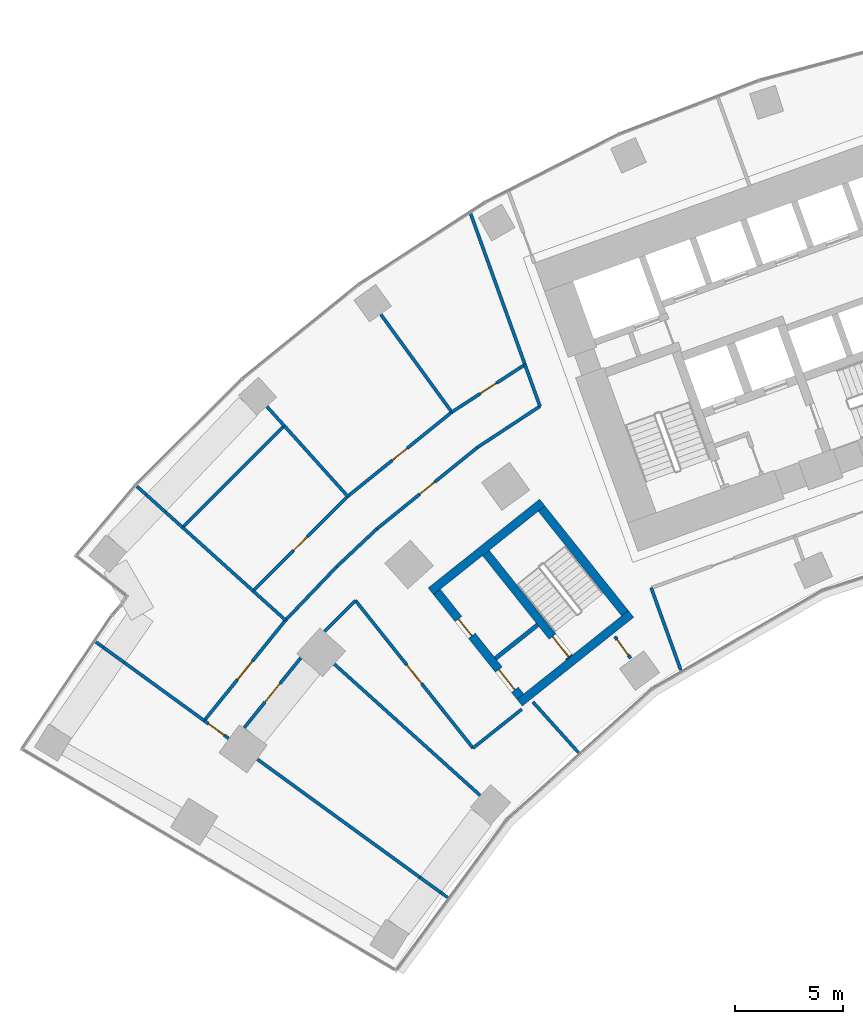
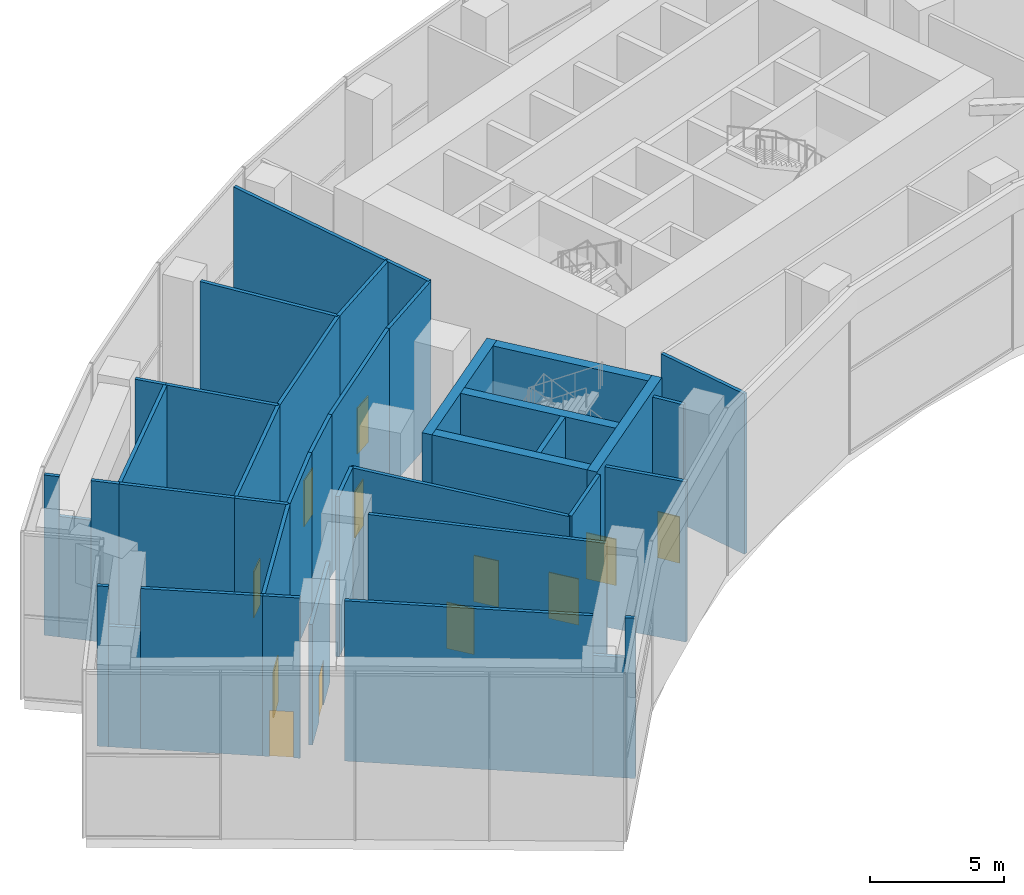
# One storey, part 24 of 33: 40 walls, 12 doors, 12 openings.
"""IFC4 building model written with IfcOpenShell, lengths in metres."""

from ifc_helpers import new_model, si_unit, direction, frame, frame_2d, origin, place, context, subcontext, project, spatial, rectangle, extrude, material, layer, layer_set, type_object, element, fill, save


model = new_model("IFC4")

# Units and contexts
model_context = context("Model", 3, precision=1e-05, world=origin(), true_north=direction((0.0, 1.0)))
body_context = subcontext(model_context, "Body", "Model", "MODEL_VIEW")
ifc_project = project(units=[si_unit("LENGTHUNIT", "METRE"), si_unit("AREAUNIT", "SQUARE_METRE"), si_unit("VOLUMEUNIT", "CUBIC_METRE"), si_unit("PLANEANGLEUNIT", "RADIAN"), si_unit("MASSUNIT", "GRAM", prefix="KILO")], contexts=[model_context])

# Site, building, storey
site_placement = place(None, origin())
site = spatial("IfcSite", under=ifc_project, at=site_placement, CompositionType="ELEMENT")
building_placement = place(site_placement, origin())
building = spatial("IfcBuilding", under=site, at=building_placement, Name="Stone Belt Terrace Tower", CompositionType="ELEMENT")
storey_placement = place(building_placement, frame((0.0, 0.0, 79.39990234375)))
storey = spatial("IfcBuildingStorey", under=building, at=storey_placement, Name="L19", CompositionType="ELEMENT", Elevation=79.39990234375)

# Wall
ifc_material_1 = material(Name="Gypsum board partition")
ifc_layer_1 = layer(ifc_material_1, 0.14990234375)
ifc_layer_set_1 = layer_set([ifc_layer_1], Name="PARTITION 150 EI 60")
wall_type_1 = type_object("IfcWallType", Name="PARTITION 150 EI 60", PredefinedType="PARTITIONING", material=ifc_layer_set_1)
wall_1_placement = place(storey_placement, frame((-25.5859375, 39.79296875, 0.0), z_axis=(0.0, 0.0, 1.0), x_axis=(0.338595879698, -0.940931894587, 0.0)))
element("IfcWall", 1, at=wall_1_placement, inside=storey, type_object=wall_type_1, Name="L19/wall/i001", PredefinedType="PARTITIONING", context=body_context, shape_type="SweptSolid", body=[
    extrude(rectangle(XDim=4.057373046875, YDim=0.14990234375, at=frame_2d((2.02880859375, 0.0))), origin(), (0.0, 0.0, 1.0), 7.280029296875),
])

# Wall, opening, door
wall_2_placement = place(storey_placement, frame((-26.534912109375, 36.52294921875, 0.0), z_axis=(0.0, 0.0, 1.0), x_axis=(-0.58822969918, 0.80869389821, 0.0)))
wall_2 = element("IfcWall", 2, at=wall_2_placement, inside=storey, type_object=wall_type_1, Name="L19/wall/i003", PredefinedType="PARTITIONING", context=body_context, shape_type="SweptSolid", body=[
    extrude(rectangle(XDim=1.25146484375, YDim=0.14990234375, at=frame_2d((0.625732421875, 0.0))), origin(), (0.0, 0.0, 1.0), 7.280029296875),
])
opening_1_placement = place(wall_2_placement, frame((0.17578125, 0.0, 0.0)))
opening_1 = element("IfcOpeningElement", 3, at=opening_1_placement, cuts=wall_2, Name="Opening D-T1-12", PredefinedType="OPENING", context=body_context, shape_type="SweptSolid", body=[
    extrude(rectangle(XDim=0.89990234375, YDim=2.10009765625, at=frame_2d((0.449951171875, 1.050048828125))), frame((0.0, 0.0849609375, 0.0), z_axis=(0.0, -1.0, 0.0), x_axis=(1.0, 0.0, 0.0)), (0.0, 0.0, 1.0), 0.169921875),
])
ifc_material_2 = material(Name="Steel fire door set", Category="steel")
door_type_1 = type_object("IfcDoorType", Name="SERVICE ROOM DOOR 900 X 2100", OperationType="NOTDEFINED", PredefinedType="DOOR", material=ifc_material_2)
door_1_placement = place(opening_1_placement, origin())
door_1 = element("IfcDoor", 4, at=door_1_placement, inside=storey, type_object=door_type_1, Name="L19/door/i12", OperationType="SINGLE_SWING_RIGHT", OverallHeight=2.10009765625, OverallWidth=0.89990234375, PredefinedType="DOOR", context=body_context, shape_type="SweptSolid", body=[
    extrude(rectangle(XDim=0.89990234375, YDim=2.10009765625, at=frame_2d((0.449951171875, 1.050048828125))), frame((0.0, 0.02490234375, 0.0), z_axis=(0.0, -1.0, 0.0), x_axis=(1.0, 0.0, 0.0)), (0.0, 0.0, 1.0), 0.050048828125),
])
fill(opening_1, door_1)

# Walls
wall_3_placement = place(storey_placement, frame((-30.736083984375, 48.197998046875, 0.0), z_axis=(0.0, 0.0, 1.0), x_axis=(-0.338673390493, 0.940903998595, 0.0)))
element("IfcWall", 5, at=wall_3_placement, inside=storey, type_object=wall_type_1, Name="L19/wall/i004", PredefinedType="PARTITIONING", context=body_context, shape_type="SweptSolid", body=[
    extrude(rectangle(XDim=2.06396484375, YDim=0.14990234375, at=frame_2d((1.031982421875, 0.0))), origin(), (0.0, 0.0, 1.0), 7.280029296875),
])
wall_4_placement = place(storey_placement, frame((-31.430908203125, 50.12890625, 0.0), z_axis=(0.0, 0.0, 1.0), x_axis=(-0.338785689557, 0.940863569574, 0.0)))
element("IfcWall", 6, at=wall_4_placement, inside=storey, type_object=wall_type_1, Name="L19/wall/i005", PredefinedType="PARTITIONING", context=body_context, shape_type="SweptSolid", body=[
    extrude(rectangle(XDim=7.441162109375, YDim=0.14990234375, at=frame_2d((3.720703125, 0.0))), origin(), (0.0, 0.0, 1.0), 7.280029296875),
])

# Wall, opening, door
wall_5_placement = place(storey_placement, frame((-45.167236328125, 32.816162109375, 0.0), z_axis=(0.0, 0.0, 1.0), x_axis=(-0.809353623303, 0.587321643094, 0.0)))
wall_5 = element("IfcWall", 7, at=wall_5_placement, inside=storey, type_object=wall_type_1, Name="L19/wall/i031", PredefinedType="PARTITIONING", context=body_context, shape_type="SweptSolid", body=[
    extrude(rectangle(XDim=1.40087890625, YDim=0.14990234375, at=frame_2d((0.700439453125, 0.0))), origin(), (0.0, 0.0, 1.0), 7.280029296875),
])
opening_2_placement = place(wall_5_placement, frame((0.25048828125, 0.0, 0.0)))
opening_2 = element("IfcOpeningElement", 8, at=opening_2_placement, cuts=wall_5, Name="Opening D-T1-11", PredefinedType="OPENING", context=body_context, shape_type="SweptSolid", body=[
    extrude(rectangle(XDim=0.89990234375, YDim=2.10009765625, at=frame_2d((0.449951171875, 1.050048828125))), frame((0.0, 0.0849609375, 0.0), z_axis=(0.0, -1.0, 0.0), x_axis=(1.0, 0.0, 0.0)), (0.0, 0.0, 1.0), 0.169921875),
])
door_2_placement = place(opening_2_placement, origin())
door_2 = element("IfcDoor", 9, at=door_2_placement, inside=storey, type_object=door_type_1, Name="L19/door/i11", OperationType="SINGLE_SWING_RIGHT", OverallHeight=2.10009765625, OverallWidth=0.89990234375, PredefinedType="DOOR", context=body_context, shape_type="SweptSolid", body=[
    extrude(rectangle(XDim=0.89990234375, YDim=2.10009765625, at=frame_2d((0.449951171875, 1.050048828125))), frame((0.0, 0.02490234375, 0.0), z_axis=(0.0, -1.0, 0.0), x_axis=(1.0, 0.0, 0.0)), (0.0, 0.0, 1.0), 0.050048828125),
])
fill(opening_2, door_2)

# Walls
wall_6_placement = place(storey_placement, frame((-43.82470703125, 31.83984375, 0.0), z_axis=(0.0, 0.0, 1.0), x_axis=(0.809029230777, -0.587768409962, 0.0)))
element("IfcWall", 10, at=wall_6_placement, inside=storey, type_object=wall_type_1, Name="L19/wall/i032-1", PredefinedType="PARTITIONING", context=body_context, shape_type="SweptSolid", body=[
    extrude(rectangle(XDim=9.28857421875, YDim=0.14990234375, at=frame_2d((4.644287109375, 0.0))), origin(), (0.0, 0.0, 1.0), 7.280029296875),
])
wall_7_placement = place(storey_placement, frame((-36.31005859375, 26.38037109375, 0.0), z_axis=(0.0, 0.0, 1.0), x_axis=(0.809016851207, -0.587785449346, 0.0)))
element("IfcWall", 11, at=wall_7_placement, inside=storey, type_object=wall_type_1, Name="L19/wall/i032-2", PredefinedType="PARTITIONING", context=body_context, shape_type="SweptSolid", body=[
    extrude(rectangle(XDim=1.202880859375, YDim=0.14990234375, at=frame_2d((0.6015625, 0.0))), origin(), (0.0, 0.0, 1.0), 5.47998046875),
])
wall_8_placement = place(storey_placement, frame((-35.3369140625, 25.67333984375, 0.0), z_axis=(0.0, 0.0, 1.0), x_axis=(0.809166525791, -0.587579384882, 0.0)))
element("IfcWall", 12, at=wall_8_placement, inside=storey, type_object=wall_type_1, Name="L19/wall/i032-3", PredefinedType="PARTITIONING", context=body_context, shape_type="SweptSolid", body=[
    extrude(rectangle(XDim=0.392333984375, YDim=0.14990234375, at=frame_2d((0.1962890625, 0.0))), origin(), (0.0, 0.0, 1.0), 7.280029296875),
])
wall_9_placement = place(storey_placement, frame((-51.318359375, 37.284912109375, 0.0), z_axis=(0.0, 0.0, 1.0), x_axis=(0.808881905209, -0.58797114166, 0.0)))
element("IfcWall", 13, at=wall_9_placement, inside=storey, type_object=wall_type_1, Name="L19/wall/i033-1", PredefinedType="PARTITIONING", context=body_context, shape_type="SweptSolid", body=[
    extrude(rectangle(XDim=0.434326171875, YDim=0.14990234375, at=frame_2d((0.21728515625, 0.0))), origin(), (0.0, 0.0, 1.0), 7.280029296875),
])
wall_10_placement = place(storey_placement, frame((-50.967041015625, 37.029541015625, 0.0), z_axis=(0.0, 0.0, 1.0), x_axis=(0.808964092211, -0.587858058984, 0.0)))
element("IfcWall", 14, at=wall_10_placement, inside=storey, type_object=wall_type_1, Name="L19/wall/i033-2", PredefinedType="PARTITIONING", context=body_context, shape_type="SweptSolid", body=[
    extrude(rectangle(XDim=1.20361328125, YDim=0.14990234375, at=frame_2d((0.601806640625, 0.0))), origin(), (0.0, 0.0, 1.0), 5.47998046875),
])
wall_11_placement = place(storey_placement, frame((-49.993408203125, 36.322021484375, 0.0), z_axis=(0.0, 0.0, 1.0), x_axis=(0.809017436727, -0.587784643446, 0.0)))
element("IfcWall", 15, at=wall_11_placement, inside=storey, type_object=wall_type_1, Name="L19/wall/i033-3", PredefinedType="PARTITIONING", context=body_context, shape_type="SweptSolid", body=[
    extrude(rectangle(XDim=4.576416015625, YDim=0.14990234375, at=frame_2d((2.2880859375, 0.0))), origin(), (0.0, 0.0, 1.0), 7.280029296875),
])
wall_12_placement = place(storey_placement, frame((-40.1640625, 40.761962890625, 0.0), z_axis=(0.0, 0.0, 1.0), x_axis=(0.727996599904, 0.685580739613, 0.0)))
element("IfcWall", 16, at=wall_12_placement, inside=storey, type_object=wall_type_1, Name="L19/wall/i034", PredefinedType="PARTITIONING", context=body_context, shape_type="SweptSolid", body=[
    extrude(rectangle(XDim=2.572998046875, YDim=0.14990234375, at=frame_2d((1.28662109375, 0.0))), origin(), (0.0, 0.0, 1.0), 7.280029296875),
])

# Wall, opening, door
wall_13_placement = place(storey_placement, frame((-38.2900390625, 42.527099609375, 0.0), z_axis=(0.0, 0.0, 1.0), x_axis=(0.77714422733, 0.629322532513, 0.0)))
wall_13 = element("IfcWall", 17, at=wall_13_placement, inside=storey, type_object=wall_type_1, Name="L19/wall/i035", PredefinedType="PARTITIONING", context=body_context, shape_type="SweptSolid", body=[
    extrude(rectangle(XDim=5.98876953125, YDim=0.14990234375, at=frame_2d((2.994384765625, 0.0))), origin(), (0.0, 0.0, 1.0), 7.280029296875),
])
opening_3_placement = place(wall_13_placement, frame((2.54443359375, 0.0, 0.0)))
opening_3 = element("IfcOpeningElement", 18, at=opening_3_placement, cuts=wall_13, Name="Opening D-T1-15", PredefinedType="OPENING", context=body_context, shape_type="SweptSolid", body=[
    extrude(rectangle(XDim=0.89990234375, YDim=2.10009765625, at=frame_2d((0.449951171875, 1.050048828125))), frame((0.0, 0.0849609375, 0.0), z_axis=(0.0, -1.0, 0.0), x_axis=(1.0, 0.0, 0.0)), (0.0, 0.0, 1.0), 0.169921875),
])
ifc_material_3 = material(Name="Timber door leaf", Category="wood")
door_type_2 = type_object("IfcDoorType", Name="OFFICE DOOR 900 X 2100", OperationType="NOTDEFINED", PredefinedType="DOOR", material=ifc_material_3)
door_3_placement = place(opening_3_placement, origin())
door_3 = element("IfcDoor", 19, at=door_3_placement, inside=storey, type_object=door_type_2, Name="L19/door/i15", OperationType="SINGLE_SWING_RIGHT", OverallHeight=2.10009765625, OverallWidth=0.89990234375, PredefinedType="DOOR", context=body_context, shape_type="SweptSolid", body=[
    extrude(rectangle(XDim=0.89990234375, YDim=2.10009765625, at=frame_2d((0.449951171875, 1.050048828125))), frame((0.0, 0.02490234375, 0.0), z_axis=(0.0, -1.0, 0.0), x_axis=(1.0, 0.0, 0.0)), (0.0, 0.0, 1.0), 0.050048828125),
])
fill(opening_3, door_3)

# Walls
wall_14_placement = place(storey_placement, frame((-33.635986328125, 46.2958984375, 0.0), z_axis=(0.0, 0.0, 1.0), x_axis=(0.835274160171, 0.549833681535, 0.0)))
element("IfcWall", 20, at=wall_14_placement, inside=storey, type_object=wall_type_1, Name="L19/wall/i036", PredefinedType="PARTITIONING", context=body_context, shape_type="SweptSolid", body=[
    extrude(rectangle(XDim=3.46826171875, YDim=0.14990234375, at=frame_2d((1.734130859375, 0.0))), origin(), (0.0, 0.0, 1.0), 7.280029296875),
])
wall_15_placement = place(storey_placement, frame((-39.285888671875, 39.200927734375, 0.0), z_axis=(0.0, 0.0, 1.0), x_axis=(-0.707106781187, -0.707106781187, 0.0)))
element("IfcWall", 21, at=wall_15_placement, inside=storey, type_object=wall_type_1, Name="L19/wall/i037", PredefinedType="PARTITIONING", context=body_context, shape_type="SweptSolid", body=[
    extrude(rectangle(XDim=2.017333984375, YDim=0.14990234375, at=frame_2d((1.0087890625, 0.0))), origin(), (0.0, 0.0, 1.0), 7.280029296875),
])

# Wall, opening, door
wall_16_placement = place(storey_placement, frame((-41.82373046875, 36.541259765625, 0.0), z_axis=(0.0, 0.0, 1.0), x_axis=(-0.629213442028, -0.777232554884, 0.0)))
wall_16 = element("IfcWall", 22, at=wall_16_placement, inside=storey, type_object=wall_type_1, Name="L19/wall/i038", PredefinedType="PARTITIONING", context=body_context, shape_type="SweptSolid", body=[
    extrude(rectangle(XDim=4.15478515625, YDim=0.14990234375, at=frame_2d((2.077392578125, 0.0))), origin(), (0.0, 0.0, 1.0), 5.47998046875),
])
opening_4_placement = place(wall_16_placement, frame((1.52734375, 0.0, 0.0)))
opening_4 = element("IfcOpeningElement", 23, at=opening_4_placement, cuts=wall_16, Name="Opening D-T1-14", PredefinedType="OPENING", context=body_context, shape_type="SweptSolid", body=[
    extrude(rectangle(XDim=1.10009765625, YDim=2.10009765625, at=frame_2d((0.550048828125, 1.050048828125))), frame((0.0, 0.0849609375, 0.0), z_axis=(0.0, -1.0, 0.0), x_axis=(1.0, 0.0, 0.0)), (0.0, 0.0, 1.0), 0.169921875),
])
door_type_3 = type_object("IfcDoorType", Name="SERVICE ROOM DOOR 1100 X 2100", OperationType="NOTDEFINED", PredefinedType="DOOR", material=ifc_material_2)
door_4_placement = place(opening_4_placement, origin())
door_4 = element("IfcDoor", 24, at=door_4_placement, inside=storey, type_object=door_type_3, Name="L19/door/i14", OperationType="SINGLE_SWING_RIGHT", OverallHeight=2.10009765625, OverallWidth=1.10009765625, PredefinedType="DOOR", context=body_context, shape_type="SweptSolid", body=[
    extrude(rectangle(XDim=1.10009765625, YDim=2.10009765625, at=frame_2d((0.550048828125, 1.050048828125))), frame((0.0, 0.02490234375, 0.0), z_axis=(0.0, -1.0, 0.0), x_axis=(1.0, 0.0, 0.0)), (0.0, 0.0, 1.0), 0.050048828125),
])
fill(opening_4, door_4)

# Wall
wall_17_placement = place(storey_placement, frame((-42.52587890625, 38.291015625, 0.0), z_axis=(0.0, 0.0, 1.0), x_axis=(0.690963131402, 0.722889999269, 0.0)))
element("IfcWall", 25, at=wall_17_placement, inside=storey, type_object=wall_type_1, Name="L19/wall/i039", PredefinedType="PARTITIONING", context=body_context, shape_type="SweptSolid", body=[
    extrude(rectangle(XDim=3.418212890625, YDim=0.14990234375, at=frame_2d((1.708984375, 0.0))), origin(), (0.0, 0.0, 1.0), 7.280029296875),
])

# Wall, opening, door
wall_18_placement = place(storey_placement, frame((-46.2958984375, 33.635986328125, 0.0), z_axis=(0.0, 0.0, 1.0), x_axis=(0.629322532513, 0.77714422733, 0.0)))
wall_18 = element("IfcWall", 26, at=wall_18_placement, inside=storey, type_object=wall_type_1, Name="L19/wall/i040", PredefinedType="PARTITIONING", context=body_context, shape_type="SweptSolid", body=[
    extrude(rectangle(XDim=5.98876953125, YDim=0.14990234375, at=frame_2d((2.994384765625, 0.0))), origin(), (0.0, 0.0, 1.0), 7.280029296875),
])
opening_5_placement = place(wall_18_placement, frame((2.4443359375, 0.0, 0.0)))
opening_5 = element("IfcOpeningElement", 27, at=opening_5_placement, cuts=wall_18, Name="Opening D-T1-19", PredefinedType="OPENING", context=body_context, shape_type="SweptSolid", body=[
    extrude(rectangle(XDim=1.10009765625, YDim=2.10009765625, at=frame_2d((0.550048828125, 1.050048828125))), frame((0.0, 0.0849609375, 0.0), z_axis=(0.0, -1.0, 0.0), x_axis=(1.0, 0.0, 0.0)), (0.0, 0.0, 1.0), 0.169921875),
])
door_5_placement = place(opening_5_placement, origin())
door_5 = element("IfcDoor", 28, at=door_5_placement, inside=storey, type_object=door_type_3, Name="L19/door/i19", OperationType="SINGLE_SWING_LEFT", OverallHeight=2.10009765625, OverallWidth=1.10009765625, PredefinedType="DOOR", context=body_context, shape_type="SweptSolid", body=[
    extrude(rectangle(XDim=1.10009765625, YDim=2.10009765625, at=frame_2d((0.550048828125, 1.050048828125))), frame((0.0, 0.02490234375, 0.0), z_axis=(0.0, -1.0, 0.0), x_axis=(1.0, 0.0, 0.0)), (0.0, 0.0, 1.0), 0.050048828125),
])
fill(opening_5, door_5)

# Wall
wall_19_placement = place(storey_placement, frame((-31.5810546875, 34.1650390625, 0.0), z_axis=(0.0, 0.0, 1.0), x_axis=(-0.782079504581, -0.623178665003, 0.0)))
element("IfcWall", 29, at=wall_19_placement, inside=storey, type_object=wall_type_1, Name="L19/wall/i041", PredefinedType="PARTITIONING", context=body_context, shape_type="SweptSolid", body=[
    extrude(rectangle(XDim=2.888427734375, YDim=0.14990234375, at=frame_2d((1.4443359375, 0.0))), origin(), (0.0, 0.0, 1.0), 7.280029296875),
])

# Wall, opening, door
wall_20_placement = place(storey_placement, frame((-33.840087890625, 32.364990234375, 0.0), z_axis=(0.0, 0.0, 1.0), x_axis=(-0.623151683061, 0.782101003643, 0.0)))
wall_20 = element("IfcWall", 30, at=wall_20_placement, inside=storey, type_object=wall_type_1, Name="L19/wall/i042", PredefinedType="PARTITIONING", context=body_context, shape_type="SweptSolid", body=[
    extrude(rectangle(XDim=8.745849609375, YDim=0.14990234375, at=frame_2d((4.373046875, 0.0))), origin(), (0.0, 0.0, 1.0), 7.280029296875),
])
opening_6_placement = place(wall_20_placement, frame((3.82275390625, 0.0, 0.0)))
opening_6 = element("IfcOpeningElement", 31, at=opening_6_placement, cuts=wall_20, Name="Opening D-T1-13", PredefinedType="OPENING", context=body_context, shape_type="SweptSolid", body=[
    extrude(rectangle(XDim=1.10009765625, YDim=2.10009765625, at=frame_2d((0.550048828125, 1.050048828125))), frame((0.0, 0.0849609375, 0.0), z_axis=(0.0, -1.0, 0.0), x_axis=(1.0, 0.0, 0.0)), (0.0, 0.0, 1.0), 0.169921875),
])
door_6_placement = place(opening_6_placement, origin())
door_6 = element("IfcDoor", 32, at=door_6_placement, inside=storey, type_object=door_type_3, Name="L19/door/i13", OperationType="SINGLE_SWING_RIGHT", OverallHeight=2.10009765625, OverallWidth=1.10009765625, PredefinedType="DOOR", context=body_context, shape_type="SweptSolid", body=[
    extrude(rectangle(XDim=1.10009765625, YDim=2.10009765625, at=frame_2d((0.550048828125, 1.050048828125))), frame((0.0, 0.02490234375, 0.0), z_axis=(0.0, -1.0, 0.0), x_axis=(1.0, 0.0, 0.0)), (0.0, 0.0, 1.0), 0.050048828125),
])
fill(opening_6, door_6)

# Walls
wall_21_placement = place(storey_placement, frame((-28.94775390625, 32.149658203125, 0.0), z_axis=(0.0, 0.0, 1.0), x_axis=(-0.669245279782, 0.74304155704, 0.0)))
element("IfcWall", 33, at=wall_21_placement, inside=storey, type_object=wall_type_1, Name="L19/wall/i043", PredefinedType="PARTITIONING", context=body_context, shape_type="SweptSolid", body=[
    extrude(rectangle(XDim=3.172607421875, YDim=0.14990234375, at=frame_2d((1.58642578125, 0.0))), origin(), (0.0, 0.0, 1.0), 7.280029296875),
])
wall_22_placement = place(storey_placement, frame((-33.515869140625, 30.177734375, 0.0), z_axis=(0.0, 0.0, 1.0), x_axis=(-0.743122805234, 0.669155061508, 0.0)))
element("IfcWall", 34, at=wall_22_placement, inside=storey, type_object=wall_type_1, Name="L19/wall/i044", PredefinedType="PARTITIONING", context=body_context, shape_type="SweptSolid", body=[
    extrude(rectangle(XDim=9.070068359375, YDim=0.14990234375, at=frame_2d((4.53515625, 0.0))), origin(), (0.0, 0.0, 1.0), 7.280029296875),
])

# Wall, opening, door
wall_23_placement = place(storey_placement, frame((-44.029052734375, 39.64501953125, 0.0), z_axis=(0.0, 0.0, 1.0), x_axis=(0.707106781187, 0.707106781187, 0.0)))
wall_23 = element("IfcWall", 35, at=wall_23_placement, inside=storey, type_object=wall_type_1, Name="L19/wall/i045", PredefinedType="PARTITIONING", context=body_context, shape_type="SweptSolid", body=[
    extrude(rectangle(XDim=6.201416015625, YDim=0.14990234375, at=frame_2d((3.1005859375, 0.0))), origin(), (0.0, 0.0, 1.0), 7.280029296875),
])
opening_7_placement = place(wall_23_placement, frame((2.650634765625, 0.0, 0.0)))
opening_7 = element("IfcOpeningElement", 36, at=opening_7_placement, cuts=wall_23, Name="Opening D-T1-16", PredefinedType="OPENING", context=body_context, shape_type="SweptSolid", body=[
    extrude(rectangle(XDim=0.89990234375, YDim=2.10009765625, at=frame_2d((0.449951171875, 1.050048828125))), frame((0.0, 0.0849609375, 0.0), z_axis=(0.0, -1.0, 0.0), x_axis=(1.0, 0.0, 0.0)), (0.0, 0.0, 1.0), 0.169921875),
])
door_7_placement = place(opening_7_placement, origin())
door_7 = element("IfcDoor", 37, at=door_7_placement, inside=storey, type_object=door_type_2, Name="L19/door/i16", OperationType="SINGLE_SWING_RIGHT", OverallHeight=2.10009765625, OverallWidth=0.89990234375, PredefinedType="DOOR", context=body_context, shape_type="SweptSolid", body=[
    extrude(rectangle(XDim=0.89990234375, YDim=2.10009765625, at=frame_2d((0.449951171875, 1.050048828125))), frame((0.0, 0.02490234375, 0.0), z_axis=(0.0, -1.0, 0.0), x_axis=(1.0, 0.0, 0.0)), (0.0, 0.0, 1.0), 0.050048828125),
])
fill(opening_7, door_7)

wall_24_placement = place(storey_placement, frame((-39.64404296875, 44.030029296875, 0.0), z_axis=(0.0, 0.0, 1.0), x_axis=(0.777190769916, 0.629265053184, 0.0)))
wall_24 = element("IfcWall", 38, at=wall_24_placement, inside=storey, type_object=wall_type_1, Name="L19/wall/i046", PredefinedType="PARTITIONING", context=body_context, shape_type="SweptSolid", body=[
    extrude(rectangle(XDim=6.20068359375, YDim=0.14990234375, at=frame_2d((3.100341796875, 0.0))), origin(), (0.0, 0.0, 1.0), 7.280029296875),
])
opening_8_placement = place(wall_24_placement, frame((2.650390625, 0.0, 0.0)))
opening_8 = element("IfcOpeningElement", 39, at=opening_8_placement, cuts=wall_24, Name="Opening D-T1-17", PredefinedType="OPENING", context=body_context, shape_type="SweptSolid", body=[
    extrude(rectangle(XDim=0.89990234375, YDim=2.10009765625, at=frame_2d((0.449951171875, 1.050048828125))), frame((0.0, 0.0849609375, 0.0), z_axis=(0.0, -1.0, 0.0), x_axis=(1.0, 0.0, 0.0)), (0.0, 0.0, 1.0), 0.169921875),
])
door_8_placement = place(opening_8_placement, origin())
door_8 = element("IfcDoor", 40, at=door_8_placement, inside=storey, type_object=door_type_2, Name="L19/door/i17", OperationType="SINGLE_SWING_RIGHT", OverallHeight=2.10009765625, OverallWidth=0.89990234375, PredefinedType="DOOR", context=body_context, shape_type="SweptSolid", body=[
    extrude(rectangle(XDim=0.89990234375, YDim=2.10009765625, at=frame_2d((0.449951171875, 1.050048828125))), frame((0.0, 0.02490234375, 0.0), z_axis=(0.0, -1.0, 0.0), x_axis=(1.0, 0.0, 0.0)), (0.0, 0.0, 1.0), 0.050048828125),
])
fill(opening_8, door_8)

wall_25_placement = place(storey_placement, frame((-34.824951171875, 47.931884765625, 0.0), z_axis=(0.0, 0.0, 1.0), x_axis=(0.838660143757, 0.544655086521, 0.0)))
wall_25 = element("IfcWall", 41, at=wall_25_placement, inside=storey, type_object=wall_type_1, Name="L19/wall/i047", PredefinedType="PARTITIONING", context=body_context, shape_type="SweptSolid", body=[
    extrude(rectangle(XDim=4.043212890625, YDim=0.14990234375, at=frame_2d((2.021484375, 0.0))), origin(), (0.0, 0.0, 1.0), 7.280029296875),
])
opening_9_placement = place(wall_25_placement, frame((1.571533203125, 0.0, 0.0)))
opening_9 = element("IfcOpeningElement", 42, at=opening_9_placement, cuts=wall_25, Name="Opening D-T1-18", PredefinedType="OPENING", context=body_context, shape_type="SweptSolid", body=[
    extrude(rectangle(XDim=0.89990234375, YDim=2.10009765625, at=frame_2d((0.449951171875, 1.050048828125))), frame((0.0, 0.0849609375, 0.0), z_axis=(0.0, -1.0, 0.0), x_axis=(1.0, 0.0, 0.0)), (0.0, 0.0, 1.0), 0.169921875),
])
door_9_placement = place(opening_9_placement, origin())
door_9 = element("IfcDoor", 43, at=door_9_placement, inside=storey, type_object=door_type_2, Name="L19/door/i18", OperationType="SINGLE_SWING_RIGHT", OverallHeight=2.10009765625, OverallWidth=0.89990234375, PredefinedType="DOOR", context=body_context, shape_type="SweptSolid", body=[
    extrude(rectangle(XDim=0.89990234375, YDim=2.10009765625, at=frame_2d((0.449951171875, 1.050048828125))), frame((0.0, 0.02490234375, 0.0), z_axis=(0.0, -1.0, 0.0), x_axis=(1.0, 0.0, 0.0)), (0.0, 0.0, 1.0), 0.050048828125),
])
fill(opening_9, door_9)

# Walls
wall_26_placement = place(storey_placement, frame((-42.52587890625, 38.291015625, 0.0), z_axis=(0.0, 0.0, 1.0), x_axis=(-0.743012054614, 0.669278033927, 0.0)))
element("IfcWall", 44, at=wall_26_placement, inside=storey, type_object=wall_type_1, Name="L19/wall/i048", PredefinedType="PARTITIONING", context=body_context, shape_type="SweptSolid", body=[
    extrude(rectangle(XDim=2.023193359375, YDim=0.14990234375, at=frame_2d((1.01171875, 0.0))), origin(), (0.0, 0.0, 1.0), 7.280029296875),
])
wall_27_placement = place(storey_placement, frame((-47.299072265625, 42.589111328125, 0.0), z_axis=(0.0, 0.0, 1.0), x_axis=(0.707106781187, 0.707106781187, 0.0)))
element("IfcWall", 45, at=wall_27_placement, inside=storey, type_object=wall_type_1, Name="L19/wall/i049", PredefinedType="PARTITIONING", context=body_context, shape_type="SweptSolid", body=[
    extrude(rectangle(XDim=6.660888671875, YDim=0.14990234375, at=frame_2d((3.33056640625, 0.0))), origin(), (0.0, 0.0, 1.0), 7.280029296875),
])
wall_28_placement = place(storey_placement, frame((-42.587890625, 47.300048828125, 0.0), z_axis=(0.0, 0.0, 1.0), x_axis=(0.669068955814, -0.743200331247, 0.0)))
element("IfcWall", 46, at=wall_28_placement, inside=storey, type_object=wall_type_1, Name="L19/wall/i050", PredefinedType="PARTITIONING", context=body_context, shape_type="SweptSolid", body=[
    extrude(rectangle(XDim=4.39990234375, YDim=0.14990234375, at=frame_2d((2.199951171875, 0.0))), origin(), (0.0, 0.0, 1.0), 7.280029296875),
])
wall_29_placement = place(storey_placement, frame((-44.029052734375, 39.64501953125, 0.0), z_axis=(0.0, 0.0, 1.0), x_axis=(-0.743172740326, 0.669099602478, 0.0)))
element("IfcWall", 47, at=wall_29_placement, inside=storey, type_object=wall_type_1, Name="L19/wall/i051", PredefinedType="PARTITIONING", context=body_context, shape_type="SweptSolid", body=[
    extrude(rectangle(XDim=4.400146484375, YDim=0.14990234375, at=frame_2d((2.2001953125, 0.0))), origin(), (0.0, 0.0, 1.0), 7.280029296875),
])
wall_30_placement = place(storey_placement, frame((-43.3818359375, 48.181396484375, 0.0), z_axis=(0.0, 0.0, 1.0), x_axis=(0.669305788666, -0.742987053224, 0.0)))
element("IfcWall", 48, at=wall_30_placement, inside=storey, type_object=wall_type_1, Name="L19/wall/i052", PredefinedType="PARTITIONING", context=body_context, shape_type="SweptSolid", body=[
    extrude(rectangle(XDim=1.186279296875, YDim=0.14990234375, at=frame_2d((0.59326171875, 0.0))), origin(), (0.0, 0.0, 1.0), 7.280029296875),
])
wall_31_placement = place(storey_placement, frame((-47.299072265625, 42.589111328125, 0.0), z_axis=(0.0, 0.0, 1.0), x_axis=(-0.743316834896, 0.668939521153, 0.0)))
element("IfcWall", 49, at=wall_31_placement, inside=storey, type_object=wall_type_1, Name="L19/wall/i053-1", PredefinedType="PARTITIONING", context=body_context, shape_type="SweptSolid", body=[
    extrude(rectangle(XDim=1.070068359375, YDim=0.14990234375, at=frame_2d((0.53515625, 0.0))), origin(), (0.0, 0.0, 1.0), 7.280029296875),
])
wall_32_placement = place(storey_placement, frame((-48.094482421875, 43.304931640625, 0.0), z_axis=(0.0, 0.0, 1.0), x_axis=(-0.743122819834, 0.669155045294, 0.0)))
element("IfcWall", 50, at=wall_32_placement, inside=storey, type_object=wall_type_1, Name="L19/wall/i053-2", PredefinedType="PARTITIONING", context=body_context, shape_type="SweptSolid", body=[
    extrude(rectangle(XDim=1.204833984375, YDim=0.14990234375, at=frame_2d((0.6025390625, 0.0))), origin(), (0.0, 0.0, 1.0), 5.47998046875),
])
wall_33_placement = place(storey_placement, frame((-48.98974609375, 44.111083984375, 0.0), z_axis=(0.0, 0.0, 1.0), x_axis=(-0.743188854586, 0.669081703844, 0.0)))
element("IfcWall", 51, at=wall_33_placement, inside=storey, type_object=wall_type_1, Name="L19/wall/i053-3", PredefinedType="PARTITIONING", context=body_context, shape_type="SweptSolid", body=[
    extrude(rectangle(XDim=0.576416015625, YDim=0.14990234375, at=frame_2d((0.2880859375, 0.0))), origin(), (0.0, 0.0, 1.0), 7.280029296875),
])
wall_34_placement = place(storey_placement, frame((-38.1083984375, 52.45166015625, 0.0), z_axis=(0.0, 0.0, 1.0), x_axis=(0.587742866856, -0.809047787501, 0.0)))
element("IfcWall", 52, at=wall_34_placement, inside=storey, type_object=wall_type_1, Name="L19/wall/i054", PredefinedType="PARTITIONING", context=body_context, shape_type="SweptSolid", body=[
    extrude(rectangle(XDim=5.58642578125, YDim=0.14990234375, at=frame_2d((2.793212890625, 0.0))), origin(), (0.0, 0.0, 1.0), 7.280029296875),
])
ifc_material_4 = material(Name="Concrete masonry block", Category="masonry")
ifc_layer_2 = layer(ifc_material_4, 0.199951171875)
ifc_layer_set_2 = layer_set([ifc_layer_2], Name="Rated lobby wall 200")
wall_type_2 = type_object("IfcWallType", Name="Rated lobby wall 200", PredefinedType="PARTITIONING", material=ifc_layer_set_2)
wall_35_placement = place(storey_placement, frame((-30.845703125, 38.074951171875, 0.0), z_axis=(0.0, 0.0, 1.0), x_axis=(-0.782115323833, -0.623133709749, 0.0)))
element("IfcWall", 53, at=wall_35_placement, inside=storey, type_object=wall_type_2, Name="Exit stair ST3A wall", PredefinedType="PARTITIONING", context=body_context, shape_type="SweptSolid", body=[
    extrude(rectangle(XDim=2.5, YDim=0.199951171875, at=frame_2d((1.25, 0.0))), origin(), (0.0, 0.0, 1.0), 7.280029296875),
])
ifc_material_5 = material(Name="Concrete B80", Category="concrete")
ifc_layer_3 = layer(ifc_material_5, 0.39990234375)
ifc_layer_set_3 = layer_set([ifc_layer_3], Name="Stair enclosure wall 400")
wall_type_3 = type_object("IfcWallType", Name="Stair enclosure wall 400", PredefinedType="SHEAR", material=ifc_layer_set_3)
for number, where, z_axis, x_axis, name in (
    (54, (-26.518798828125, 38.58154296875, 0.0), (0.0, 0.0, 1.0), (-0.782133914161, -0.623110375711, 0.0), "Exit stair ST3A wall"),
    (55, (-30.63134765625, 43.74365234375, 0.0), (0.0, 0.0, 1.0), (-0.782133914161, -0.623110375711, 0.0), "Exit stair ST3A wall"),
):
    element("IfcWall", number, at=place(storey_placement, frame(where, z_axis=z_axis, x_axis=x_axis)), inside=storey, type_object=wall_type_3, Name=name, PredefinedType="SHEAR", context=body_context, shape_type="SweptSolid", body=[
        extrude(rectangle(XDim=6.60009765625, YDim=0.39990234375, at=frame_2d((3.300048828125, 0.0))), origin(), (0.0, 0.0, 1.0), 7.280029296875),
    ])
wall_36_placement = place(storey_placement, frame((-26.7998046875, 38.61328125, 0.0), z_axis=(0.0, 0.0, 1.0), x_axis=(-0.623118653668, 0.782127319208, 0.0)))
element("IfcWall", 56, at=wall_36_placement, inside=storey, type_object=wall_type_3, Name="Exit stair ST3A wall", PredefinedType="SHEAR", context=body_context, shape_type="SweptSolid", body=[
    extrude(rectangle(XDim=6.199951171875, YDim=0.39990234375, at=frame_2d((3.10009765625, 0.0))), origin(), (0.0, 0.0, 1.0), 7.280029296875),
])

# Wall, openings, doors
wall_37_placement = place(storey_placement, frame((-31.64892578125, 34.75, 0.0), z_axis=(0.0, 0.0, 1.0), x_axis=(-0.623118653668, 0.782127319208, 0.0)))
wall_37 = element("IfcWall", 57, at=wall_37_placement, inside=storey, type_object=wall_type_3, Name="Exit stair ST3A wall", PredefinedType="SHEAR", context=body_context, shape_type="SweptSolid", body=[
    extrude(rectangle(XDim=6.199951171875, YDim=0.39990234375, at=frame_2d((3.10009765625, 0.0))), origin(), (0.0, 0.0, 1.0), 7.280029296875),
])
opening_10_placement = place(wall_37_placement, frame((0.39990234375, 0.0, 0.0)))
opening_10 = element("IfcOpeningElement", 58, at=opening_10_placement, cuts=wall_37, Name="Opening L19-C20", PredefinedType="OPENING", context=body_context, shape_type="SweptSolid", body=[
    extrude(rectangle(XDim=1.199951171875, YDim=2.10009765625, at=frame_2d((0.60009765625, 1.050048828125))), frame((0.0, 0.2099609375, 0.0), z_axis=(0.0, -1.0, 0.0), x_axis=(1.0, 0.0, 0.0)), (0.0, 0.0, 1.0), 0.419921875),
])
opening_11_placement = place(wall_37_placement, frame((3.60009765625, 0.0, 0.0)))
opening_11 = element("IfcOpeningElement", 59, at=opening_11_placement, cuts=wall_37, Name="Opening L19-C21", PredefinedType="OPENING", context=body_context, shape_type="SweptSolid", body=[
    extrude(rectangle(XDim=1.0, YDim=2.10009765625, at=frame_2d((0.5, 1.050048828125))), frame((0.0, 0.2099609375, 0.0), z_axis=(0.0, -1.0, 0.0), x_axis=(1.0, 0.0, 0.0)), (0.0, 0.0, 1.0), 0.419921875),
])
door_type_4 = type_object("IfcDoorType", Name="Core room door 1000", OperationType="SINGLE_SWING_LEFT", PredefinedType="DOOR", material=ifc_material_3)
door_10_placement = place(opening_11_placement, origin())
door_10 = element("IfcDoor", 60, at=door_10_placement, inside=storey, type_object=door_type_4, Name="Door to stair pressurisation plant room ST3A", OperationType="SINGLE_SWING_RIGHT", OverallHeight=2.10009765625, OverallWidth=1.0, PredefinedType="DOOR", context=body_context, shape_type="SweptSolid", body=[
    extrude(rectangle(XDim=1.0, YDim=2.10009765625, at=frame_2d((0.5, 1.050048828125))), frame((0.0, 0.02490234375, 0.0), z_axis=(0.0, -1.0, 0.0), x_axis=(1.0, 0.0, 0.0)), (0.0, 0.0, 1.0), 0.050048828125),
])
fill(opening_11, door_10)
ifc_material_6 = material(Name="Steel door leaf", Category="steel")
door_type_5 = type_object("IfcDoorType", Name="Stair airlock door 1200", OperationType="SINGLE_SWING_LEFT", PredefinedType="DOOR", material=ifc_material_6)
door_11_placement = place(opening_10_placement, origin())
door_11 = element("IfcDoor", 61, at=door_11_placement, inside=storey, type_object=door_type_5, Name="Stair airlock door ST3A", OperationType="SINGLE_SWING_RIGHT", OverallHeight=2.10009765625, OverallWidth=1.199951171875, PredefinedType="DOOR", context=body_context, shape_type="SweptSolid", body=[
    extrude(rectangle(XDim=1.199951171875, YDim=2.10009765625, at=frame_2d((0.60009765625, 1.050048828125))), frame((0.0, 0.02490234375, 0.0), z_axis=(0.0, -1.0, 0.0), x_axis=(1.0, 0.0, 0.0)), (0.0, 0.0, 1.0), 0.050048828125),
])
fill(opening_10, door_11)

# Wall, opening, door
wall_38_placement = place(storey_placement, frame((-29.380859375, 36.556884765625, 0.0), z_axis=(0.0, 0.0, 1.0), x_axis=(-0.623099462847, 0.782142608097, 0.0)))
wall_38 = element("IfcWall", 62, at=wall_38_placement, inside=storey, type_object=wall_type_3, Name="Exit stair ST3A wall", PredefinedType="SHEAR", context=body_context, shape_type="SweptSolid", body=[
    extrude(rectangle(XDim=6.2001953125, YDim=0.39990234375, at=frame_2d((3.10009765625, 0.0))), origin(), (0.0, 0.0, 1.0), 7.280029296875),
])
opening_12_placement = place(wall_38_placement, frame((0.050048828125, 0.0, 0.0)))
opening_12 = element("IfcOpeningElement", 63, at=opening_12_placement, cuts=wall_38, Name="Opening L19-C19", PredefinedType="OPENING", context=body_context, shape_type="SweptSolid", body=[
    extrude(rectangle(XDim=1.199951171875, YDim=2.10009765625, at=frame_2d((0.60009765625, 1.050048828125))), frame((0.0, 0.2099609375, 0.0), z_axis=(0.0, -1.0, 0.0), x_axis=(1.0, 0.0, 0.0)), (0.0, 0.0, 1.0), 0.419921875),
])
door_type_6 = type_object("IfcDoorType", Name="Stair door 1200", OperationType="SINGLE_SWING_LEFT", PredefinedType="DOOR", material=ifc_material_6)
door_12_placement = place(opening_12_placement, origin())
door_12 = element("IfcDoor", 64, at=door_12_placement, inside=storey, type_object=door_type_6, Name="Stair door ST3A", OperationType="SINGLE_SWING_LEFT", OverallHeight=2.10009765625, OverallWidth=1.199951171875, PredefinedType="DOOR", context=body_context, shape_type="SweptSolid", body=[
    extrude(rectangle(XDim=1.199951171875, YDim=2.10009765625, at=frame_2d((0.60009765625, 1.050048828125))), frame((0.0, 0.02490234375, 0.0), z_axis=(0.0, -1.0, 0.0), x_axis=(1.0, 0.0, 0.0)), (0.0, 0.0, 1.0), 0.050048828125),
])
fill(opening_12, door_12)

save(model, "model.ifc")
